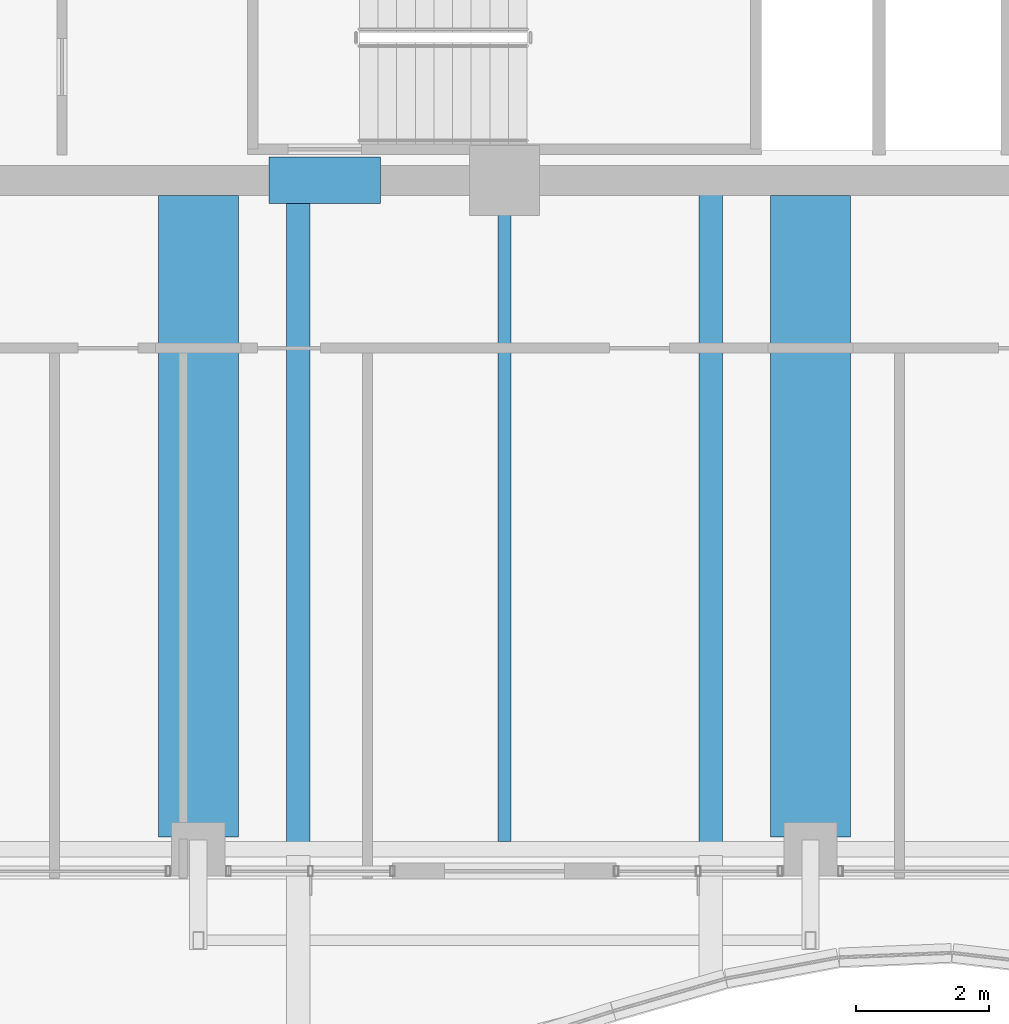
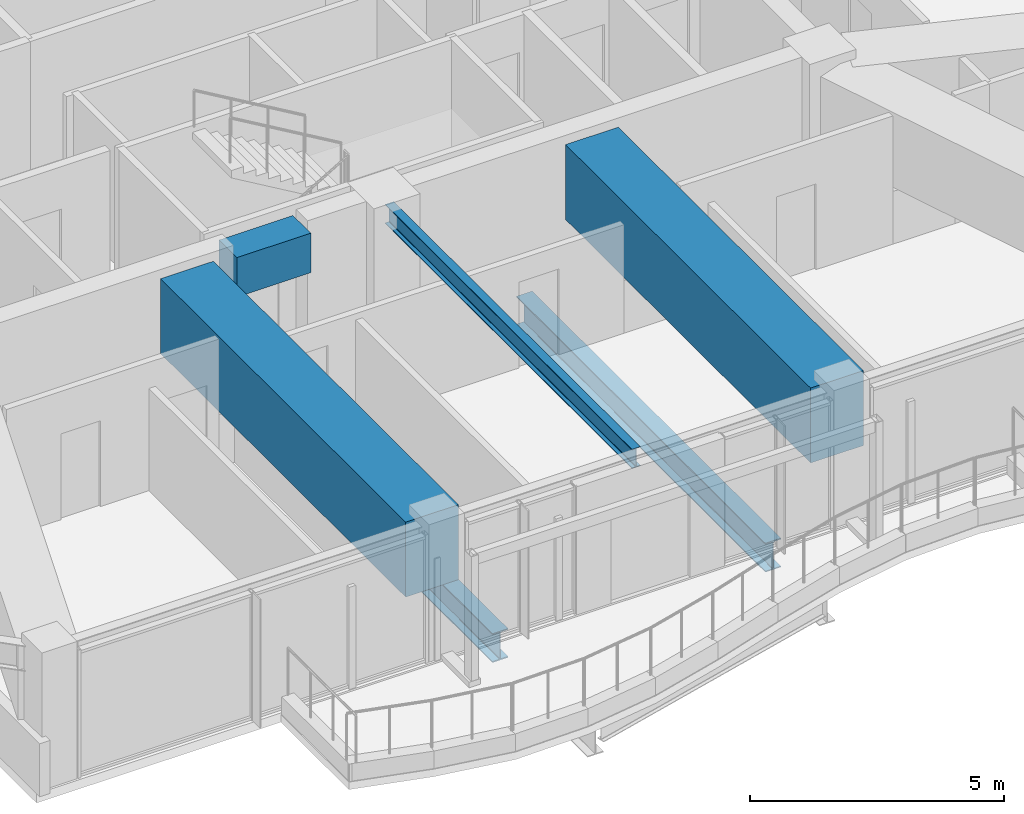
# One storey, part 7 of 37: 6 beams.
"""IFC4 building model written with IfcOpenShell, lengths in metres."""

from ifc_helpers import new_model, si_unit, direction, frame, origin, origin_2d, place, context, subcontext, project, spatial, rectangle, i_section, extrude, material, material_profile, profile_set, type_object, element, save


model = new_model("IFC4")

# Units and contexts
model_context = context("Model", 3, precision=1e-05, world=origin(), true_north=direction((0.0, 1.0)))
body_context = subcontext(model_context, "Body", "Model", "MODEL_VIEW")
ifc_project = project(units=[si_unit("LENGTHUNIT", "METRE"), si_unit("AREAUNIT", "SQUARE_METRE"), si_unit("VOLUMEUNIT", "CUBIC_METRE"), si_unit("PLANEANGLEUNIT", "RADIAN"), si_unit("MASSUNIT", "GRAM", prefix="KILO")], contexts=[model_context])

# Site, building, storey
site_placement = place(None, origin())
site = spatial("IfcSite", under=ifc_project, at=site_placement, CompositionType="ELEMENT")
building_placement = place(site_placement, origin())
building = spatial("IfcBuilding", under=site, at=building_placement, Name="Kolvaren Belvedere", CompositionType="ELEMENT")
storey_placement = place(building_placement, frame((0.0, 0.0, 219.60009765625)))
storey = spatial("IfcBuildingStorey", under=building, at=storey_placement, Name="L64", CompositionType="ELEMENT", Elevation=219.60009765625)

# Beams
ifc_material_1 = material(Name="Structural steel ASTM A992 Grade 50", Category="steel")
ifc_material_profile_1 = material_profile(ifc_material_1, i_section(OverallWidth=0.35498046875, OverallDepth=0.696044921875, WebThickness=0.015380859375, FlangeThickness=0.02490234375, FilletRadius=0.02197265625, at=origin_2d()), Name="W27X146")
ifc_profile_set_1 = profile_set([ifc_material_profile_1], Name="Structural steel ASTM A992 Grade 50")
beam_type_1 = type_object("IfcBeamType", Name="BM-GIRD-W27X146", PredefinedType="BEAM", material=ifc_profile_set_1)
for number, where, z_axis, x_axis, name in (
    (1, (-3.10009765625, -10.06494140625, -0.568115234375), (0.0, -1.0, 0.0), (1.0, 0.0, 0.0), "L64 Balcony Interior Back-Span Girder BAL-S-1"),
    (2, (3.10009765625, -10.06494140625, -0.568115234375), (0.0, -1.0, 0.0), (1.0, 0.0, 0.0), "L64 Balcony Interior Back-Span Girder BAL-S-2"),
):
    element("IfcBeam", number, at=place(storey_placement, frame(where, z_axis=z_axis, x_axis=x_axis)), inside=storey, type_object=beam_type_1, Name=name, PredefinedType="BEAM", context=body_context, shape_type="SweptSolid", body=[
        extrude(i_section(OverallWidth=0.35498046875, OverallDepth=0.696044921875, WebThickness=0.015380859375, FlangeThickness=0.02490234375, FilletRadius=0.02197265625, at=origin_2d()), origin(), (0.0, 0.0, 1.0), 9.7900390625),
    ])
ifc_material_2 = material(Name="Structural steel ASTM A992 Grade 50", Category="steel")
ifc_material_profile_2 = material_profile(ifc_material_2, i_section(OverallWidth=0.19091796875, OverallDepth=0.4599609375, WebThickness=0.010009765625, FlangeThickness=0.01611328125, FilletRadius=0.014892578125, at=origin_2d()), Name="W18X55")
ifc_profile_set_2 = profile_set([ifc_material_profile_2], Name="Structural steel ASTM A992 Grade 50")
beam_type_2 = type_object("IfcBeamType", Name="BM-JOIST-W18X55", PredefinedType="BEAM", material=ifc_profile_set_2)
beam_1_placement = place(storey_placement, frame((0.0, -10.125, 2.849853515625), z_axis=(0.0, -1.0, 0.0), x_axis=(1.0, 0.0, 0.0)))
element("IfcBeam", 3, at=beam_1_placement, inside=storey, type_object=beam_type_2, Name="L64 South Centre Floor Beam", PredefinedType="BEAM", context=body_context, shape_type="SweptSolid", body=[
    extrude(i_section(OverallWidth=0.19091796875, OverallDepth=0.4599609375, WebThickness=0.010009765625, FlangeThickness=0.01611328125, FilletRadius=0.014892578125, at=origin_2d()), origin(), (0.0, 0.0, 1.0), 9.71044921875),
])
ifc_material_3 = material(Name="Concrete C60/75", Category="concrete")
ifc_material_profile_3 = material_profile(ifc_material_3, rectangle(XDim=0.699951171875, YDim=0.949951171875, at=origin_2d()), Name="RC 700X950")
ifc_profile_set_3 = profile_set([ifc_material_profile_3], Name="Concrete C60/75")
beam_type_3 = type_object("IfcBeamType", Name="BM-LINT-950", PredefinedType="LINTEL", material=ifc_profile_set_3)
beam_2_placement = place(storey_placement, frame((-3.5400390625, -9.89990234375, 2.60498046875), z_axis=(1.0, 0.0, 0.0), x_axis=(0.0, 1.0, 0.0)))
element("IfcBeam", 4, at=beam_2_placement, inside=storey, type_object=beam_type_3, Name="L64 South Core Coupling Lintel", PredefinedType="LINTEL", context=body_context, shape_type="SweptSolid", body=[
    extrude(rectangle(XDim=0.699951171875, YDim=0.949951171875, at=origin_2d()), origin(), (0.0, 0.0, 1.0), 1.679931640625),
])
ifc_material_4 = material(Name="Concrete C50/60", Category="concrete")
ifc_material_profile_4 = material_profile(ifc_material_4, rectangle(XDim=1.199951171875, YDim=1.800048828125, at=origin_2d()), Name="RC 1200X1800")
ifc_profile_set_4 = profile_set([ifc_material_profile_4], Name="Concrete C50/60")
beam_type_4 = type_object("IfcBeamType", Name="BM-TG-1800", PredefinedType="BEAM", material=ifc_profile_set_4)
for number, where, z_axis, x_axis, name in (
    (5, (4.60009765625, -10.125, 2.179931640625), (0.0, -1.0, 0.0), (1.0, 0.0, 0.0), "L64 South Radial Girder P"),
    (6, (-4.60009765625, -10.125, 2.179931640625), (0.0, -1.0, 0.0), (1.0, 0.0, 0.0), "L64 South Radial Girder M"),
):
    element("IfcBeam", number, at=place(storey_placement, frame(where, z_axis=z_axis, x_axis=x_axis)), inside=storey, type_object=beam_type_4, Name=name, PredefinedType="BEAM", context=body_context, shape_type="SweptSolid", body=[
        extrude(rectangle(XDim=1.199951171875, YDim=1.800048828125, at=origin_2d()), origin(), (0.0, 0.0, 1.0), 9.64501953125),
    ])

save(model, "model.ifc")
